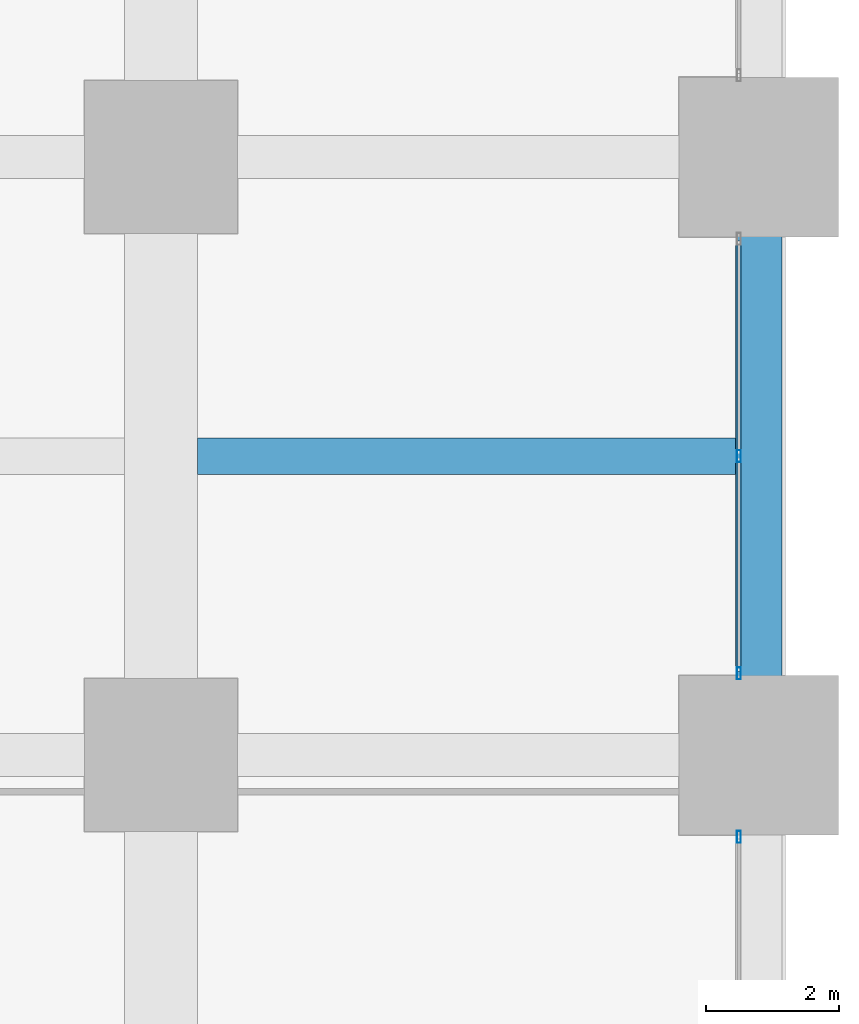
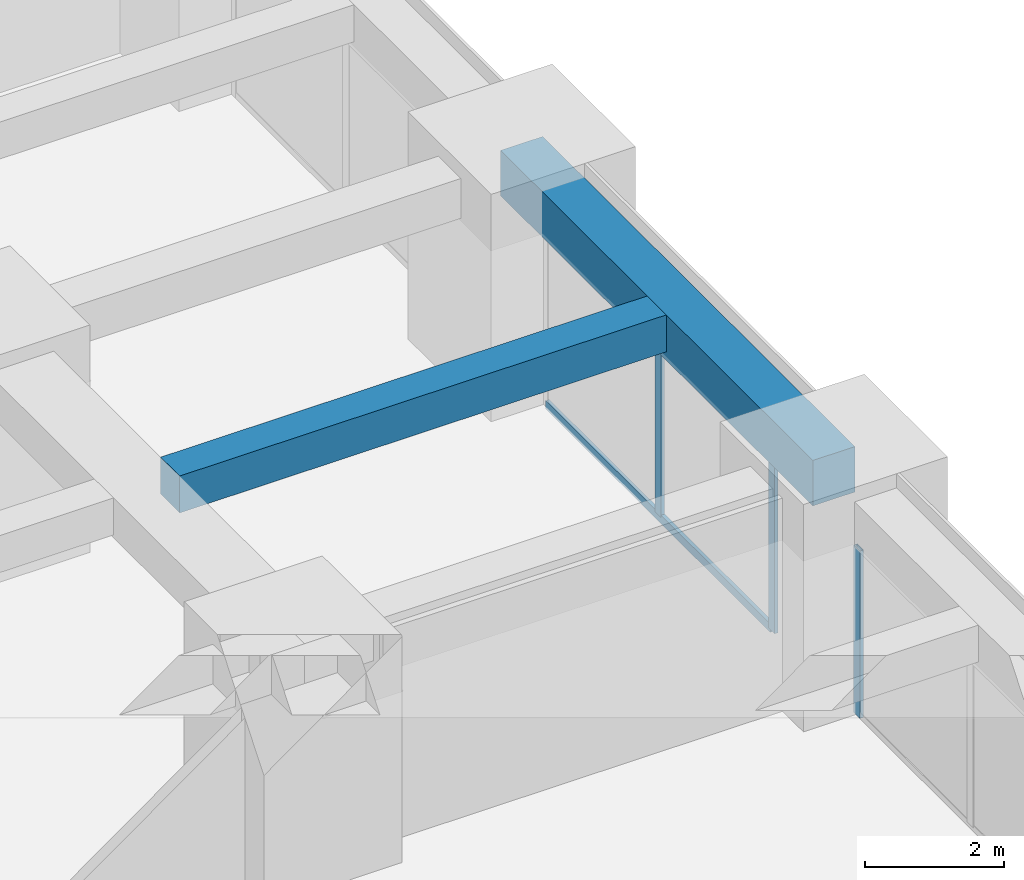
# One storey, part 20 of 44: 4 members, 2 beams, 2 elements without a shape of their own.
"""IFC4 building model written with IfcOpenShell, lengths in metres."""

from ifc_helpers import new_model, si_unit, direction, frame, origin, origin_2d, place, context, subcontext, project, spatial, rectangle, hollow_rectangle, extrude, material, material_profile, profile_set, type_object, element, aggregate, save


model = new_model("IFC4")

# Units and contexts
model_context = context("Model", 3, precision=1e-05, world=origin(), true_north=direction((0.0, 1.0)))
body_context = subcontext(model_context, "Body", "Model", "MODEL_VIEW")
ifc_project = project(units=[si_unit("LENGTHUNIT", "METRE"), si_unit("AREAUNIT", "SQUARE_METRE"), si_unit("VOLUMEUNIT", "CUBIC_METRE"), si_unit("PLANEANGLEUNIT", "RADIAN"), si_unit("MASSUNIT", "GRAM", prefix="KILO")], contexts=[model_context])

# Site, building, storey
site_placement = place(None, origin())
site = spatial("IfcSite", under=ifc_project, at=site_placement, CompositionType="ELEMENT")
building_placement = place(site_placement, origin())
building = spatial("IfcBuilding", under=site, at=building_placement, Name="Zorevar Civic Tower", CompositionType="ELEMENT")
storey_placement = place(building_placement, frame((0.0, 0.0, 35.800048828125)))
storey = spatial("IfcBuildingStorey", under=building, at=storey_placement, Name="L08", CompositionType="ELEMENT", Elevation=35.800048828125)

# Beam
ifc_material_1 = material(Name="Concrete C50/60", Category="concrete")
ifc_material_profile_1 = material_profile(ifc_material_1, rectangle(XDim=0.550048828125, YDim=0.64990234375, at=origin_2d()), Name="RC 550x650")
ifc_profile_set_1 = profile_set([ifc_material_profile_1], Name="Concrete C50/60")
beam_type_1 = type_object("IfcBeamType", Name="Beam RC 550x650", PredefinedType="BEAM", material=ifc_profile_set_1)
beam_1_placement = place(storey_placement, frame((54.550048828125, 22.5, 3.425048828125), z_axis=(1.0, 0.0, 0.0), x_axis=(0.0, 1.0, 0.0)))
element("IfcBeam", 1, at=beam_1_placement, inside=storey, type_object=beam_type_1, Name="Secondary beam L09", PredefinedType="BEAM", context=body_context, shape_type="SweptSolid", body=[
    extrude(rectangle(XDim=0.550048828125, YDim=0.64990234375, at=origin_2d()), origin(), (0.0, 0.0, 1.0), 8.099853515625),
])

# Curtain wall, member
ifc_material_2 = material(Name="Dark grey solar-control glass in black aluminium frame", Category="aluminium")
curtain_wall_type = type_object("IfcCurtainWallType", Name="Curtain wall CW2 low zone", PredefinedType="NOTDEFINED", material=ifc_material_2)
curtain_wall_1_placement = place(storey_placement, origin())
curtain_wall_1 = element("IfcCurtainWall", 2, at=curtain_wall_1_placement, inside=storey, type_object=curtain_wall_type, Name="CW2 L08", PredefinedType="NOTDEFINED")
ifc_material_3 = material(Name="Aluminium, black anodised", Category="aluminium")
ifc_material_profile_2 = material_profile(ifc_material_3, hollow_rectangle(XDim=0.06005859375, YDim=0.179931640625, WallThickness=0.00390625, at=origin_2d()), Name="AL 180x60x4")
ifc_profile_set_2 = profile_set([ifc_material_profile_2], Name="Aluminium, black anodised")
member_type_1 = type_object("IfcMemberType", Name="CW2 mullion AL 180x60x4", PredefinedType="MULLION", material=ifc_profile_set_2)
member_1_placement = place(storey_placement, frame((62.699951171875, 16.77001953125, 0.0), z_axis=(0.0, 0.0, 1.0), x_axis=(-1.0, 0.0, 0.0)))
member_1 = element("IfcMember", 3, at=member_1_placement, type_object=member_type_1, Name="CW2 mullion 3", PredefinedType="MULLION", context=body_context, shape_type="SweptSolid", body=[
    extrude(hollow_rectangle(XDim=0.06005859375, YDim=0.179931640625, WallThickness=0.00390625, at=origin_2d()), origin(), (0.0, 0.0, 1.0), 2.949951171875),
])
aggregate(curtain_wall_1, [member_1])

# Curtain wall, members
curtain_wall_2_placement = place(storey_placement, origin())
curtain_wall_2 = element("IfcCurtainWall", 4, at=curtain_wall_2_placement, inside=storey, type_object=curtain_wall_type, Name="CW2 L08", PredefinedType="NOTDEFINED")
member_2_placement = place(storey_placement, frame((62.699951171875, 19.22998046875, 0.0), z_axis=(0.0, 0.0, 1.0), x_axis=(-1.0, 0.0, 0.0)))
member_2 = element("IfcMember", 5, at=member_2_placement, type_object=member_type_1, Name="CW2 mullion 1", PredefinedType="MULLION", context=body_context, shape_type="SweptSolid", body=[
    extrude(hollow_rectangle(XDim=0.06005859375, YDim=0.179931640625, WallThickness=0.00390625, at=origin_2d()), origin(), (0.0, 0.0, 1.0), 2.949951171875),
])
member_3_placement = place(storey_placement, frame((62.699951171875, 22.5, 0.06005859375), z_axis=(0.0, 0.0, 1.0), x_axis=(-1.0, 0.0, 0.0)))
member_3 = element("IfcMember", 6, at=member_3_placement, type_object=member_type_1, Name="CW2 mullion 2", PredefinedType="MULLION", context=body_context, shape_type="SweptSolid", body=[
    extrude(hollow_rectangle(XDim=0.06005859375, YDim=0.179931640625, WallThickness=0.00390625, at=origin_2d()), origin(), (0.0, 0.0, 1.0), 2.889892578125),
])
ifc_material_4 = material(Name="Aluminium, black anodised", Category="aluminium")
ifc_material_profile_3 = material_profile(ifc_material_4, hollow_rectangle(XDim=0.06005859375, YDim=0.14990234375, WallThickness=0.00390625, at=origin_2d()), Name="AL 150x60x4")
ifc_profile_set_3 = profile_set([ifc_material_profile_3], Name="Aluminium, black anodised")
member_type_2 = type_object("IfcMemberType", Name="CW2 transom AL 150x60x4", PredefinedType="USERDEFINED", material=ifc_profile_set_3)
member_4_placement = place(storey_placement, frame((62.699951171875, 19.260009765625, 0.030029296875), z_axis=(0.0, 1.0, 0.0), x_axis=(-1.0, 0.0, 0.0)))
member_4 = element("IfcMember", 7, at=member_4_placement, type_object=member_type_2, Name="CW2 sill transom", ObjectType="TRANSOM", PredefinedType="USERDEFINED", context=body_context, shape_type="SweptSolid", body=[
    extrude(hollow_rectangle(XDim=0.06005859375, YDim=0.14990234375, WallThickness=0.00390625, at=origin_2d()), origin(), (0.0, 0.0, 1.0), 6.47998046875),
])
aggregate(curtain_wall_2, [member_2, member_3, member_4])

# Beam
ifc_material_5 = material(Name="Concrete C50/60", Category="concrete")
ifc_material_profile_4 = material_profile(ifc_material_5, rectangle(XDim=0.699951171875, YDim=0.800048828125, at=origin_2d()), Name="RC 700x800")
ifc_profile_set_4 = profile_set([ifc_material_profile_4], Name="Concrete C50/60")
beam_type_2 = type_object("IfcBeamType", Name="Edge beam RC 700x800", PredefinedType="SPANDREL", material=ifc_profile_set_4)
beam_2_placement = place(storey_placement, frame((63.0, 18.0, 3.349853515625), z_axis=(0.0, 1.0, 0.0), x_axis=(-1.0, 0.0, 0.0)))
element("IfcBeam", 8, at=beam_2_placement, inside=storey, type_object=beam_type_2, Name="Edge beam L09", PredefinedType="SPANDREL", context=body_context, shape_type="SweptSolid", body=[
    extrude(rectangle(XDim=0.699951171875, YDim=0.800048828125, at=origin_2d()), origin(), (0.0, 0.0, 1.0), 9.0),
])

save(model, "model.ifc")
